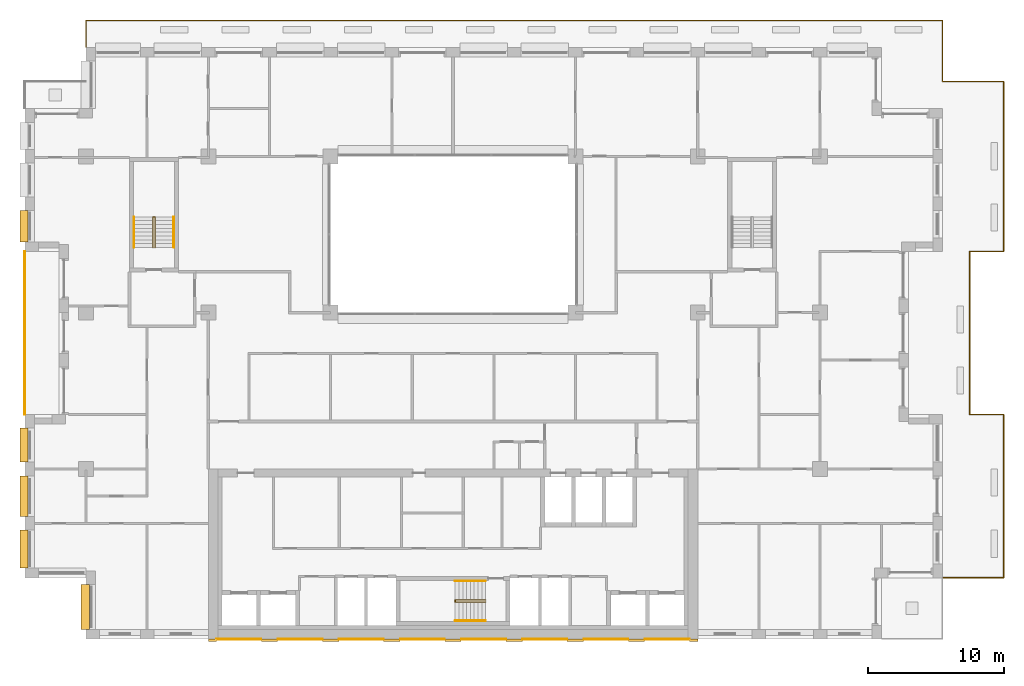
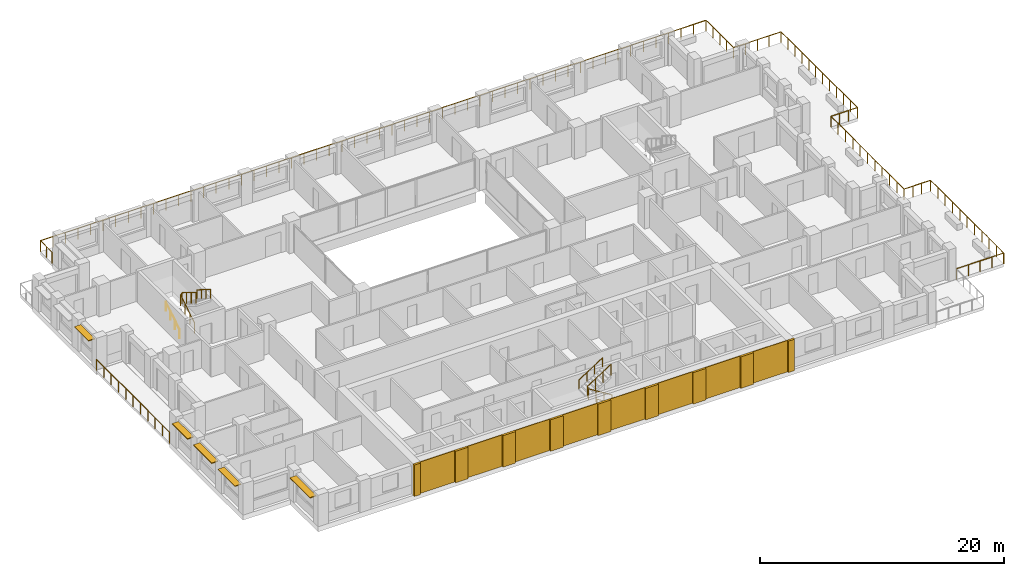
# One storey, part 16 of 17: 17 coverings, 8 railings, 5 shading devices.
"""IFC4 building model written with IfcOpenShell, lengths in metres."""

from ifc_helpers import new_model, si_unit, direction, frame, origin, origin_2d, place, context, subcontext, project, spatial, rectangle, circle, extrude, material, layer, layer_set, type_object, element, save


model = new_model("IFC4")

# Units and contexts
model_context = context("Model", 3, precision=1e-05, world=origin(), true_north=direction((0.0, 1.0)))
body_context = subcontext(model_context, "Body", "Model", "MODEL_VIEW")
ifc_project = project(units=[si_unit("LENGTHUNIT", "METRE"), si_unit("AREAUNIT", "SQUARE_METRE"), si_unit("VOLUMEUNIT", "CUBIC_METRE"), si_unit("PLANEANGLEUNIT", "RADIAN"), si_unit("MASSUNIT", "GRAM", prefix="KILO")], contexts=[model_context])

# Site, building, storey
site_placement = place(None, origin())
site = spatial("IfcSite", under=ifc_project, at=site_placement, CompositionType="ELEMENT")
building_placement = place(site_placement, origin())
building = spatial("IfcBuilding", under=site, at=building_placement, Name="Brigalow Station Residences", CompositionType="ELEMENT")
storey_placement = place(building_placement, frame((0.0, 0.0, 141.300048828125)))
storey = spatial("IfcBuildingStorey", under=building, at=storey_placement, Name="L40", CompositionType="ELEMENT", Elevation=141.300048828125)

# Railings
ifc_material_1 = material(Name="Stainless steel balustrade with laminated glass infill", Category="steel")
railing_type_1 = type_object("IfcRailingType", Name="BALCONY GUARD 1100", PredefinedType="GUARDRAIL", material=ifc_material_1)
railing_1_placement = place(storey_placement, frame((4.5, 28.5, -0.0400390625)))
element("IfcRailing", 1, at=railing_1_placement, inside=storey, type_object=railing_type_1, Name="L40/balcony-guard/1", PredefinedType="GUARDRAIL", context=body_context, shape_type="SweptSolid", body=[
    extrude(circle(Radius=0.02392578125, at=origin_2d()), frame((0.0, 0.0, 1.076171875), z_axis=(0.0, -1.0, 0.0), x_axis=(1.0, 0.0, 0.0)), (0.0, 0.0, 1.0), 12.0),
    extrude(circle(Radius=0.02099609375, at=origin_2d()), origin(), (0.0, 0.0, 1.0), 1.052001953125),
    extrude(circle(Radius=0.02099609375, at=origin_2d()), frame((0.0, -1.199951171875, 0.0)), (0.0, 0.0, 1.0), 1.052001953125),
    extrude(circle(Radius=0.02099609375, at=origin_2d()), frame((0.0, -2.39990234375, 0.0)), (0.0, 0.0, 1.0), 1.052001953125),
    extrude(circle(Radius=0.02099609375, at=origin_2d()), frame((0.0, -3.60009765625, 0.0)), (0.0, 0.0, 1.0), 1.052001953125),
    extrude(circle(Radius=0.02099609375, at=origin_2d()), frame((0.0, -4.800048828125, 0.0)), (0.0, 0.0, 1.0), 1.052001953125),
    extrude(circle(Radius=0.02099609375, at=origin_2d()), frame((0.0, -6.0, 0.0)), (0.0, 0.0, 1.0), 1.052001953125),
    extrude(circle(Radius=0.02099609375, at=origin_2d()), frame((0.0, -7.199951171875, 0.0)), (0.0, 0.0, 1.0), 1.052001953125),
    extrude(circle(Radius=0.02099609375, at=origin_2d()), frame((0.0, -8.39990234375, 0.0)), (0.0, 0.0, 1.0), 1.052001953125),
    extrude(circle(Radius=0.02099609375, at=origin_2d()), frame((0.0, -9.60009765625, 0.0)), (0.0, 0.0, 1.0), 1.052001953125),
    extrude(circle(Radius=0.02099609375, at=origin_2d()), frame((0.0, -10.800048828125, 0.0)), (0.0, 0.0, 1.0), 1.052001953125),
    extrude(circle(Radius=0.02099609375, at=origin_2d()), frame((0.0, -12.0, 0.0)), (0.0, 0.0, 1.0), 1.052001953125),
])
railing_2_placement = place(storey_placement, frame((72.050048828125, 4.5, -0.0400390625)))
element("IfcRailing", 2, at=railing_2_placement, inside=storey, type_object=railing_type_1, Name="L40/terrace-guard/2-1", PredefinedType="GUARDRAIL", context=body_context, shape_type="SweptSolid", body=[
    extrude(circle(Radius=0.02392578125, at=origin_2d()), frame((0.0, 0.0, 1.076171875), z_axis=(1.0, 0.0, 0.0), x_axis=(0.0, 1.0, 0.0)), (0.0, 0.0, 1.0), 4.449951171875),
    extrude(circle(Radius=0.02392578125, at=origin_2d()), frame((4.449951171875, 0.0, 1.076171875), z_axis=(0.0, 1.0, 0.0), x_axis=(-1.0, 0.0, 0.0)), (0.0, 0.0, 1.0), 12.0),
    extrude(circle(Radius=0.02392578125, at=origin_2d()), frame((4.449951171875, 12.0, 1.076171875), z_axis=(-1.0, 0.0, 0.0), x_axis=(0.0, -1.0, 0.0)), (0.0, 0.0, 1.0), 2.5),
    extrude(circle(Radius=0.02392578125, at=origin_2d()), frame((1.949951171875, 12.0, 1.076171875), z_axis=(0.0, 1.0, 0.0), x_axis=(-1.0, 0.0, 0.0)), (0.0, 0.0, 1.0), 12.0),
    extrude(circle(Radius=0.02392578125, at=origin_2d()), frame((1.949951171875, 24.0, 1.076171875), z_axis=(1.0, 0.0, 0.0), x_axis=(0.0, 1.0, 0.0)), (0.0, 0.0, 1.0), 2.5),
    extrude(circle(Radius=0.02392578125, at=origin_2d()), frame((4.449951171875, 24.0, 1.076171875), z_axis=(0.0, 1.0, 0.0), x_axis=(-1.0, 0.0, 0.0)), (0.0, 0.0, 1.0), 12.5),
    extrude(circle(Radius=0.02392578125, at=origin_2d()), frame((4.449951171875, 36.5, 1.076171875), z_axis=(-1.0, 0.0, 0.0), x_axis=(0.0, -1.0, 0.0)), (0.0, 0.0, 1.0), 4.5),
    extrude(circle(Radius=0.02392578125, at=origin_2d()), frame((-0.050048828125, 36.5, 1.076171875), z_axis=(0.0, 1.0, 0.0), x_axis=(-1.0, 0.0, 0.0)), (0.0, 0.0, 1.0), 4.5),
    extrude(circle(Radius=0.02392578125, at=origin_2d()), frame((-0.050048828125, 41.0, 1.076171875), z_axis=(-1.0, 0.0, 0.0), x_axis=(0.0, -1.0, 0.0)), (0.0, 0.0, 1.0), 63.0),
    extrude(circle(Radius=0.02392578125, at=origin_2d()), frame((-63.050048828125, 41.0, 1.076171875), z_axis=(0.0, -1.0, 0.0), x_axis=(1.0, 0.0, 0.0)), (0.0, 0.0, 1.0), 1.949951171875),
    extrude(circle(Radius=0.02099609375, at=origin_2d()), origin(), (0.0, 0.0, 1.0), 1.052001953125),
    extrude(circle(Radius=0.02099609375, at=origin_2d()), frame((1.112548828125, 0.0, 0.0)), (0.0, 0.0, 1.0), 1.052001953125),
    extrude(circle(Radius=0.02099609375, at=origin_2d()), frame((2.22509765625, 0.0, 0.0)), (0.0, 0.0, 1.0), 1.052001953125),
    extrude(circle(Radius=0.02099609375, at=origin_2d()), frame((3.33740234375, 0.0, 0.0)), (0.0, 0.0, 1.0), 1.052001953125),
    extrude(circle(Radius=0.02099609375, at=origin_2d()), frame((4.449951171875, 0.0, 0.0)), (0.0, 0.0, 1.0), 1.052001953125),
    extrude(circle(Radius=0.02099609375, at=origin_2d()), frame((4.449951171875, 1.199951171875, 0.0)), (0.0, 0.0, 1.0), 1.052001953125),
    extrude(circle(Radius=0.02099609375, at=origin_2d()), frame((4.449951171875, 2.39990234375, 0.0)), (0.0, 0.0, 1.0), 1.052001953125),
    extrude(circle(Radius=0.02099609375, at=origin_2d()), frame((4.449951171875, 3.60009765625, 0.0)), (0.0, 0.0, 1.0), 1.052001953125),
    extrude(circle(Radius=0.02099609375, at=origin_2d()), frame((4.449951171875, 4.800048828125, 0.0)), (0.0, 0.0, 1.0), 1.052001953125),
    extrude(circle(Radius=0.02099609375, at=origin_2d()), frame((4.449951171875, 6.0, 0.0)), (0.0, 0.0, 1.0), 1.052001953125),
    extrude(circle(Radius=0.02099609375, at=origin_2d()), frame((4.449951171875, 7.199951171875, 0.0)), (0.0, 0.0, 1.0), 1.052001953125),
    extrude(circle(Radius=0.02099609375, at=origin_2d()), frame((4.449951171875, 8.39990234375, 0.0)), (0.0, 0.0, 1.0), 1.052001953125),
    extrude(circle(Radius=0.02099609375, at=origin_2d()), frame((4.449951171875, 9.60009765625, 0.0)), (0.0, 0.0, 1.0), 1.052001953125),
    extrude(circle(Radius=0.02099609375, at=origin_2d()), frame((4.449951171875, 10.800048828125, 0.0)), (0.0, 0.0, 1.0), 1.052001953125),
    extrude(circle(Radius=0.02099609375, at=origin_2d()), frame((4.449951171875, 12.0, 0.0)), (0.0, 0.0, 1.0), 1.052001953125),
    extrude(circle(Radius=0.02099609375, at=origin_2d()), frame((3.61669921875, 12.0, 0.0)), (0.0, 0.0, 1.0), 1.052001953125),
    extrude(circle(Radius=0.02099609375, at=origin_2d()), frame((2.783203125, 12.0, 0.0)), (0.0, 0.0, 1.0), 1.052001953125),
    extrude(circle(Radius=0.02099609375, at=origin_2d()), frame((1.949951171875, 12.0, 0.0)), (0.0, 0.0, 1.0), 1.052001953125),
    extrude(circle(Radius=0.02099609375, at=origin_2d()), frame((1.949951171875, 13.199951171875, 0.0)), (0.0, 0.0, 1.0), 1.052001953125),
    extrude(circle(Radius=0.02099609375, at=origin_2d()), frame((1.949951171875, 14.39990234375, 0.0)), (0.0, 0.0, 1.0), 1.052001953125),
    extrude(circle(Radius=0.02099609375, at=origin_2d()), frame((1.949951171875, 15.60009765625, 0.0)), (0.0, 0.0, 1.0), 1.052001953125),
    extrude(circle(Radius=0.02099609375, at=origin_2d()), frame((1.949951171875, 16.800048828125, 0.0)), (0.0, 0.0, 1.0), 1.052001953125),
    extrude(circle(Radius=0.02099609375, at=origin_2d()), frame((1.949951171875, 18.0, 0.0)), (0.0, 0.0, 1.0), 1.052001953125),
    extrude(circle(Radius=0.02099609375, at=origin_2d()), frame((1.949951171875, 19.199951171875, 0.0)), (0.0, 0.0, 1.0), 1.052001953125),
    extrude(circle(Radius=0.02099609375, at=origin_2d()), frame((1.949951171875, 20.39990234375, 0.0)), (0.0, 0.0, 1.0), 1.052001953125),
    extrude(circle(Radius=0.02099609375, at=origin_2d()), frame((1.949951171875, 21.60009765625, 0.0)), (0.0, 0.0, 1.0), 1.052001953125),
    extrude(circle(Radius=0.02099609375, at=origin_2d()), frame((1.949951171875, 22.800048828125, 0.0)), (0.0, 0.0, 1.0), 1.052001953125),
    extrude(circle(Radius=0.02099609375, at=origin_2d()), frame((1.949951171875, 24.0, 0.0)), (0.0, 0.0, 1.0), 1.052001953125),
    extrude(circle(Radius=0.02099609375, at=origin_2d()), frame((2.783203125, 24.0, 0.0)), (0.0, 0.0, 1.0), 1.052001953125),
    extrude(circle(Radius=0.02099609375, at=origin_2d()), frame((3.61669921875, 24.0, 0.0)), (0.0, 0.0, 1.0), 1.052001953125),
    extrude(circle(Radius=0.02099609375, at=origin_2d()), frame((4.449951171875, 24.0, 0.0)), (0.0, 0.0, 1.0), 1.052001953125),
    extrude(circle(Radius=0.02099609375, at=origin_2d()), frame((4.449951171875, 25.136474609375, 0.0)), (0.0, 0.0, 1.0), 1.052001953125),
    extrude(circle(Radius=0.02099609375, at=origin_2d()), frame((4.449951171875, 26.272705078125, 0.0)), (0.0, 0.0, 1.0), 1.052001953125),
    extrude(circle(Radius=0.02099609375, at=origin_2d()), frame((4.449951171875, 27.4091796875, 0.0)), (0.0, 0.0, 1.0), 1.052001953125),
    extrude(circle(Radius=0.02099609375, at=origin_2d()), frame((4.449951171875, 28.54541015625, 0.0)), (0.0, 0.0, 1.0), 1.052001953125),
    extrude(circle(Radius=0.02099609375, at=origin_2d()), frame((4.449951171875, 29.681884765625, 0.0)), (0.0, 0.0, 1.0), 1.052001953125),
    extrude(circle(Radius=0.02099609375, at=origin_2d()), frame((4.449951171875, 30.818115234375, 0.0)), (0.0, 0.0, 1.0), 1.052001953125),
    extrude(circle(Radius=0.02099609375, at=origin_2d()), frame((4.449951171875, 31.95458984375, 0.0)), (0.0, 0.0, 1.0), 1.052001953125),
    extrude(circle(Radius=0.02099609375, at=origin_2d()), frame((4.449951171875, 33.0908203125, 0.0)), (0.0, 0.0, 1.0), 1.052001953125),
    extrude(circle(Radius=0.02099609375, at=origin_2d()), frame((4.449951171875, 34.227294921875, 0.0)), (0.0, 0.0, 1.0), 1.052001953125),
    extrude(circle(Radius=0.02099609375, at=origin_2d()), frame((4.449951171875, 35.363525390625, 0.0)), (0.0, 0.0, 1.0), 1.052001953125),
    extrude(circle(Radius=0.02099609375, at=origin_2d()), frame((4.449951171875, 36.5, 0.0)), (0.0, 0.0, 1.0), 1.052001953125),
    extrude(circle(Radius=0.02099609375, at=origin_2d()), frame((3.324951171875, 36.5, 0.0)), (0.0, 0.0, 1.0), 1.052001953125),
    extrude(circle(Radius=0.02099609375, at=origin_2d()), frame((2.199951171875, 36.5, 0.0)), (0.0, 0.0, 1.0), 1.052001953125),
    extrude(circle(Radius=0.02099609375, at=origin_2d()), frame((1.074951171875, 36.5, 0.0)), (0.0, 0.0, 1.0), 1.052001953125),
    extrude(circle(Radius=0.02099609375, at=origin_2d()), frame((-0.050048828125, 36.5, 0.0)), (0.0, 0.0, 1.0), 1.052001953125),
    extrude(circle(Radius=0.02099609375, at=origin_2d()), frame((-0.050048828125, 37.625, 0.0)), (0.0, 0.0, 1.0), 1.052001953125),
    extrude(circle(Radius=0.02099609375, at=origin_2d()), frame((-0.050048828125, 38.75, 0.0)), (0.0, 0.0, 1.0), 1.052001953125),
    extrude(circle(Radius=0.02099609375, at=origin_2d()), frame((-0.050048828125, 39.875, 0.0)), (0.0, 0.0, 1.0), 1.052001953125),
    extrude(circle(Radius=0.02099609375, at=origin_2d()), frame((-0.050048828125, 41.0, 0.0)), (0.0, 0.0, 1.0), 1.052001953125),
    extrude(circle(Radius=0.02099609375, at=origin_2d()), frame((-1.23876953125, 41.0, 0.0)), (0.0, 0.0, 1.0), 1.052001953125),
    extrude(circle(Radius=0.02099609375, at=origin_2d()), frame((-2.427490234375, 41.0, 0.0)), (0.0, 0.0, 1.0), 1.052001953125),
    extrude(circle(Radius=0.02099609375, at=origin_2d()), frame((-3.615966796875, 41.0, 0.0)), (0.0, 0.0, 1.0), 1.052001953125),
    extrude(circle(Radius=0.02099609375, at=origin_2d()), frame((-4.8046875, 41.0, 0.0)), (0.0, 0.0, 1.0), 1.052001953125),
    extrude(circle(Radius=0.02099609375, at=origin_2d()), frame((-5.993408203125, 41.0, 0.0)), (0.0, 0.0, 1.0), 1.052001953125),
    extrude(circle(Radius=0.02099609375, at=origin_2d()), frame((-7.18212890625, 41.0, 0.0)), (0.0, 0.0, 1.0), 1.052001953125),
    extrude(circle(Radius=0.02099609375, at=origin_2d()), frame((-8.370849609375, 41.0, 0.0)), (0.0, 0.0, 1.0), 1.052001953125),
    extrude(circle(Radius=0.02099609375, at=origin_2d()), frame((-9.5595703125, 41.0, 0.0)), (0.0, 0.0, 1.0), 1.052001953125),
    extrude(circle(Radius=0.02099609375, at=origin_2d()), frame((-10.748046875, 41.0, 0.0)), (0.0, 0.0, 1.0), 1.052001953125),
    extrude(circle(Radius=0.02099609375, at=origin_2d()), frame((-11.936767578125, 41.0, 0.0)), (0.0, 0.0, 1.0), 1.052001953125),
    extrude(circle(Radius=0.02099609375, at=origin_2d()), frame((-13.12548828125, 41.0, 0.0)), (0.0, 0.0, 1.0), 1.052001953125),
    extrude(circle(Radius=0.02099609375, at=origin_2d()), frame((-14.314208984375, 41.0, 0.0)), (0.0, 0.0, 1.0), 1.052001953125),
    extrude(circle(Radius=0.02099609375, at=origin_2d()), frame((-15.5029296875, 41.0, 0.0)), (0.0, 0.0, 1.0), 1.052001953125),
    extrude(circle(Radius=0.02099609375, at=origin_2d()), frame((-16.691650390625, 41.0, 0.0)), (0.0, 0.0, 1.0), 1.052001953125),
    extrude(circle(Radius=0.02099609375, at=origin_2d()), frame((-17.880126953125, 41.0, 0.0)), (0.0, 0.0, 1.0), 1.052001953125),
    extrude(circle(Radius=0.02099609375, at=origin_2d()), frame((-19.06884765625, 41.0, 0.0)), (0.0, 0.0, 1.0), 1.052001953125),
    extrude(circle(Radius=0.02099609375, at=origin_2d()), frame((-20.257568359375, 41.0, 0.0)), (0.0, 0.0, 1.0), 1.052001953125),
    extrude(circle(Radius=0.02099609375, at=origin_2d()), frame((-21.4462890625, 41.0, 0.0)), (0.0, 0.0, 1.0), 1.052001953125),
    extrude(circle(Radius=0.02099609375, at=origin_2d()), frame((-22.635009765625, 41.0, 0.0)), (0.0, 0.0, 1.0), 1.052001953125),
    extrude(circle(Radius=0.02099609375, at=origin_2d()), frame((-23.82373046875, 41.0, 0.0)), (0.0, 0.0, 1.0), 1.052001953125),
    extrude(circle(Radius=0.02099609375, at=origin_2d()), frame((-25.01220703125, 41.0, 0.0)), (0.0, 0.0, 1.0), 1.052001953125),
    extrude(circle(Radius=0.02099609375, at=origin_2d()), frame((-26.200927734375, 41.0, 0.0)), (0.0, 0.0, 1.0), 1.052001953125),
    extrude(circle(Radius=0.02099609375, at=origin_2d()), frame((-27.3896484375, 41.0, 0.0)), (0.0, 0.0, 1.0), 1.052001953125),
    extrude(circle(Radius=0.02099609375, at=origin_2d()), frame((-28.578369140625, 41.0, 0.0)), (0.0, 0.0, 1.0), 1.052001953125),
    extrude(circle(Radius=0.02099609375, at=origin_2d()), frame((-29.76708984375, 41.0, 0.0)), (0.0, 0.0, 1.0), 1.052001953125),
    extrude(circle(Radius=0.02099609375, at=origin_2d()), frame((-30.955810546875, 41.0, 0.0)), (0.0, 0.0, 1.0), 1.052001953125),
    extrude(circle(Radius=0.02099609375, at=origin_2d()), frame((-32.144287109375, 41.0, 0.0)), (0.0, 0.0, 1.0), 1.052001953125),
    extrude(circle(Radius=0.02099609375, at=origin_2d()), frame((-33.3330078125, 41.0, 0.0)), (0.0, 0.0, 1.0), 1.052001953125),
    extrude(circle(Radius=0.02099609375, at=origin_2d()), frame((-34.521728515625, 41.0, 0.0)), (0.0, 0.0, 1.0), 1.052001953125),
    extrude(circle(Radius=0.02099609375, at=origin_2d()), frame((-35.71044921875, 41.0, 0.0)), (0.0, 0.0, 1.0), 1.052001953125),
    extrude(circle(Radius=0.02099609375, at=origin_2d()), frame((-36.899169921875, 41.0, 0.0)), (0.0, 0.0, 1.0), 1.052001953125),
    extrude(circle(Radius=0.02099609375, at=origin_2d()), frame((-38.087890625, 41.0, 0.0)), (0.0, 0.0, 1.0), 1.052001953125),
    extrude(circle(Radius=0.02099609375, at=origin_2d()), frame((-39.2763671875, 41.0, 0.0)), (0.0, 0.0, 1.0), 1.052001953125),
    extrude(circle(Radius=0.02099609375, at=origin_2d()), frame((-40.465087890625, 41.0, 0.0)), (0.0, 0.0, 1.0), 1.052001953125),
    extrude(circle(Radius=0.02099609375, at=origin_2d()), frame((-41.65380859375, 41.0, 0.0)), (0.0, 0.0, 1.0), 1.052001953125),
    extrude(circle(Radius=0.02099609375, at=origin_2d()), frame((-42.842529296875, 41.0, 0.0)), (0.0, 0.0, 1.0), 1.052001953125),
    extrude(circle(Radius=0.02099609375, at=origin_2d()), frame((-44.03125, 41.0, 0.0)), (0.0, 0.0, 1.0), 1.052001953125),
    extrude(circle(Radius=0.02099609375, at=origin_2d()), frame((-45.219970703125, 41.0, 0.0)), (0.0, 0.0, 1.0), 1.052001953125),
    extrude(circle(Radius=0.02099609375, at=origin_2d()), frame((-46.408447265625, 41.0, 0.0)), (0.0, 0.0, 1.0), 1.052001953125),
    extrude(circle(Radius=0.02099609375, at=origin_2d()), frame((-47.59716796875, 41.0, 0.0)), (0.0, 0.0, 1.0), 1.052001953125),
    extrude(circle(Radius=0.02099609375, at=origin_2d()), frame((-48.785888671875, 41.0, 0.0)), (0.0, 0.0, 1.0), 1.052001953125),
    extrude(circle(Radius=0.02099609375, at=origin_2d()), frame((-49.974609375, 41.0, 0.0)), (0.0, 0.0, 1.0), 1.052001953125),
    extrude(circle(Radius=0.02099609375, at=origin_2d()), frame((-51.163330078125, 41.0, 0.0)), (0.0, 0.0, 1.0), 1.052001953125),
    extrude(circle(Radius=0.02099609375, at=origin_2d()), frame((-52.35205078125, 41.0, 0.0)), (0.0, 0.0, 1.0), 1.052001953125),
    extrude(circle(Radius=0.02099609375, at=origin_2d()), frame((-53.54052734375, 41.0, 0.0)), (0.0, 0.0, 1.0), 1.052001953125),
    extrude(circle(Radius=0.02099609375, at=origin_2d()), frame((-54.729248046875, 41.0, 0.0)), (0.0, 0.0, 1.0), 1.052001953125),
    extrude(circle(Radius=0.02099609375, at=origin_2d()), frame((-55.91796875, 41.0, 0.0)), (0.0, 0.0, 1.0), 1.052001953125),
    extrude(circle(Radius=0.02099609375, at=origin_2d()), frame((-57.106689453125, 41.0, 0.0)), (0.0, 0.0, 1.0), 1.052001953125),
    extrude(circle(Radius=0.02099609375, at=origin_2d()), frame((-58.29541015625, 41.0, 0.0)), (0.0, 0.0, 1.0), 1.052001953125),
    extrude(circle(Radius=0.02099609375, at=origin_2d()), frame((-59.484130859375, 41.0, 0.0)), (0.0, 0.0, 1.0), 1.052001953125),
    extrude(circle(Radius=0.02099609375, at=origin_2d()), frame((-60.672607421875, 41.0, 0.0)), (0.0, 0.0, 1.0), 1.052001953125),
    extrude(circle(Radius=0.02099609375, at=origin_2d()), frame((-61.861328125, 41.0, 0.0)), (0.0, 0.0, 1.0), 1.052001953125),
    extrude(circle(Radius=0.02099609375, at=origin_2d()), frame((-63.050048828125, 41.0, 0.0)), (0.0, 0.0, 1.0), 1.052001953125),
    extrude(circle(Radius=0.02099609375, at=origin_2d()), frame((-63.050048828125, 40.02490234375, 0.0)), (0.0, 0.0, 1.0), 1.052001953125),
    extrude(circle(Radius=0.02099609375, at=origin_2d()), frame((-63.050048828125, 39.050048828125, 0.0)), (0.0, 0.0, 1.0), 1.052001953125),
])

# Coverings
ifc_material_2 = material(Name="Clay brick masonry", Category="masonry")
ifc_layer_1 = layer(ifc_material_2, 0.06005859375)
ifc_layer_set_1 = layer_set([ifc_layer_1], Name="BRICK PANEL FACING 60")
covering_type_1 = type_object("IfcCoveringType", Name="BRICK PANEL FACING 60", PredefinedType="CLADDING", material=ifc_layer_set_1)
for number, where, z_axis, x_axis, name in (
    (3, (20.25, -0.030029296875, 0.0), (0.0, 0.0, 1.0), (1.0, 0.0, 0.0), "L40/rear-facing/panel-1"),
    (4, (24.75, -0.030029296875, 0.0), (0.0, 0.0, 1.0), (1.0, 0.0, 0.0), "L40/rear-facing/panel-2"),
    (5, (29.25, -0.030029296875, 0.0), (0.0, 0.0, 1.0), (1.0, 0.0, 0.0), "L40/rear-facing/panel-3"),
    (6, (33.75, -0.030029296875, 0.0), (0.0, 0.0, 1.0), (1.0, 0.0, 0.0), "L40/rear-facing/panel-4"),
    (7, (38.25, -0.030029296875, 0.0), (0.0, 0.0, 1.0), (1.0, 0.0, 0.0), "L40/rear-facing/panel-5"),
    (8, (42.75, -0.030029296875, 0.0), (0.0, 0.0, 1.0), (1.0, 0.0, 0.0), "L40/rear-facing/panel-6"),
    (9, (47.25, -0.030029296875, 0.0), (0.0, 0.0, 1.0), (1.0, 0.0, 0.0), "L40/rear-facing/panel-7"),
    (10, (51.75, -0.030029296875, 0.0), (0.0, 0.0, 1.0), (1.0, 0.0, 0.0), "L40/rear-facing/panel-8"),
):
    element("IfcCovering", number, at=place(storey_placement, frame(where, z_axis=z_axis, x_axis=x_axis)), inside=storey, type_object=covering_type_1, Name=name, PredefinedType="CLADDING", context=body_context, shape_type="SweptSolid", body=[
        extrude(rectangle(XDim=3.300048828125, YDim=0.06005859375, at=origin_2d()), origin(), (0.0, 0.0, 1.0), 3.14990234375),
    ])
ifc_material_3 = material(Name="Clay brick masonry", Category="masonry")
ifc_layer_2 = layer(ifc_material_3, 0.199951171875)
ifc_layer_set_2 = layer_set([ifc_layer_2], Name="BRICK PIER FACING 200")
covering_type_2 = type_object("IfcCoveringType", Name="BRICK PIER FACING 200", PredefinedType="CLADDING", material=ifc_layer_set_2)
covering_1_placement = place(storey_placement, frame((18.300048828125, -0.10009765625, 0.0), z_axis=(0.0, 0.0, 1.0), x_axis=(1.0, 0.0, 0.0)))
element("IfcCovering", 11, at=covering_1_placement, inside=storey, type_object=covering_type_2, Name="L40/rear-facing/pier-1", PredefinedType="CLADDING", context=body_context, shape_type="SweptSolid", body=[
    extrude(rectangle(XDim=0.60009765625, YDim=0.199951171875, at=origin_2d()), origin(), (0.0, 0.0, 1.0), 3.14990234375),
])
for number, where, z_axis, x_axis, name in (
    (12, (22.5, -0.10009765625, 0.0), (0.0, 0.0, 1.0), (1.0, 0.0, 0.0), "L40/rear-facing/pier-2"),
    (13, (27.0, -0.10009765625, 0.0), (0.0, 0.0, 1.0), (1.0, 0.0, 0.0), "L40/rear-facing/pier-3"),
    (14, (31.5, -0.10009765625, 0.0), (0.0, 0.0, 1.0), (1.0, 0.0, 0.0), "L40/rear-facing/pier-4"),
    (15, (36.0, -0.10009765625, 0.0), (0.0, 0.0, 1.0), (1.0, 0.0, 0.0), "L40/rear-facing/pier-5"),
    (16, (40.5, -0.10009765625, 0.0), (0.0, 0.0, 1.0), (1.0, 0.0, 0.0), "L40/rear-facing/pier-6"),
    (17, (45.0, -0.10009765625, 0.0), (0.0, 0.0, 1.0), (1.0, 0.0, 0.0), "L40/rear-facing/pier-7"),
    (18, (49.5, -0.10009765625, 0.0), (0.0, 0.0, 1.0), (1.0, 0.0, 0.0), "L40/rear-facing/pier-8"),
):
    element("IfcCovering", number, at=place(storey_placement, frame(where, z_axis=z_axis, x_axis=x_axis)), inside=storey, type_object=covering_type_2, Name=name, PredefinedType="CLADDING", context=body_context, shape_type="SweptSolid", body=[
        extrude(rectangle(XDim=1.199951171875, YDim=0.199951171875, at=origin_2d()), origin(), (0.0, 0.0, 1.0), 3.14990234375),
    ])
covering_2_placement = place(storey_placement, frame((53.699951171875, -0.10009765625, 0.0), z_axis=(0.0, 0.0, 1.0), x_axis=(1.0, 0.0, 0.0)))
element("IfcCovering", 19, at=covering_2_placement, inside=storey, type_object=covering_type_2, Name="L40/rear-facing/pier-9", PredefinedType="CLADDING", context=body_context, shape_type="SweptSolid", body=[
    extrude(rectangle(XDim=0.60009765625, YDim=0.199951171875, at=origin_2d()), origin(), (0.0, 0.0, 1.0), 3.14990234375),
])

# Railings
ifc_material_4 = material(Name="Stainless steel balustrade", Category="steel")
railing_type_2 = type_object("IfcRailingType", Name="STAIR GUARD 1100", PredefinedType="GUARDRAIL", material=ifc_material_4)
railing_3_placement = place(storey_placement, frame((38.39990234375, 2.72998046875, 0.175048828125)))
element("IfcRailing", 20, at=railing_3_placement, inside=storey, type_object=railing_type_2, Name="GUARD GR-2", PredefinedType="GUARDRAIL", context=body_context, shape_type="SweptSolid", body=[
    extrude(circle(Radius=0.02392578125, at=origin_2d()), frame((0.0, 0.0, 1.076171875), z_axis=(-0.848013881152, 0.0, 0.529974015752), x_axis=(0.0, -1.0, 0.0)), (0.0, 0.0, 1.0), 2.641357421875),
    extrude(circle(Radius=0.02392578125, at=origin_2d()), frame((-2.239990234375, 0.0, 2.47607421875), z_axis=(0.0, 0.624960567888, 0.780656319122), x_axis=(-1.0, 0.0, 0.0)), (0.0, 0.0, 1.0), 0.22412109375),
    extrude(circle(Radius=0.02392578125, at=origin_2d()), frame((-2.239990234375, 0.14013671875, 2.65087890625), z_axis=(0.848013881152, 0.0, 0.529974015752), x_axis=(0.0, 1.0, 0.0)), (0.0, 0.0, 1.0), 2.641357421875),
    extrude(circle(Radius=0.02099609375, at=origin_2d()), origin(), (0.0, 0.0, 1.0), 1.052001953125),
    extrude(circle(Radius=0.02099609375, at=origin_2d()), frame((-0.74658203125, 0.0, 0.466552734375)), (0.0, 0.0, 1.0), 1.052001953125),
    extrude(circle(Radius=0.02099609375, at=origin_2d()), frame((-1.493408203125, 0.0, 0.933349609375)), (0.0, 0.0, 1.0), 1.052001953125),
    extrude(circle(Radius=0.02099609375, at=origin_2d()), frame((-2.239990234375, 0.0, 1.39990234375)), (0.0, 0.0, 1.0), 1.052001953125),
    extrude(circle(Radius=0.02099609375, at=origin_2d()), frame((-2.239990234375, 0.14013671875, 1.574951171875)), (0.0, 0.0, 1.0), 1.052001953125),
    extrude(circle(Radius=0.02099609375, at=origin_2d()), frame((-1.493408203125, 0.14013671875, 2.04150390625)), (0.0, 0.0, 1.0), 1.052001953125),
    extrude(circle(Radius=0.02099609375, at=origin_2d()), frame((-0.74658203125, 0.14013671875, 2.50830078125)), (0.0, 0.0, 1.0), 1.052001953125),
    extrude(circle(Radius=0.02099609375, at=origin_2d()), frame((0.0, 0.14013671875, 2.974853515625)), (0.0, 0.0, 1.0), 1.052001953125),
])
railing_4_placement = place(storey_placement, frame((13.929931640625, 28.800048828125, 0.175048828125)))
element("IfcRailing", 21, at=railing_4_placement, inside=storey, type_object=railing_type_2, Name="GUARD GR-1", PredefinedType="GUARDRAIL", context=body_context, shape_type="SweptSolid", body=[
    extrude(circle(Radius=0.02392578125, at=origin_2d()), frame((0.0, 0.0, 1.076171875), z_axis=(0.0, 0.848013881152, 0.529974015752), x_axis=(-1.0, 0.0, 0.0)), (0.0, 0.0, 1.0), 2.641357421875),
    extrude(circle(Radius=0.02392578125, at=origin_2d()), frame((0.0, 2.239990234375, 2.47607421875), z_axis=(0.624960567888, 0.0, 0.780656319122), x_axis=(0.0, 1.0, 0.0)), (0.0, 0.0, 1.0), 0.22412109375),
    extrude(circle(Radius=0.02392578125, at=origin_2d()), frame((0.14013671875, 2.239990234375, 2.65087890625), z_axis=(0.0, -0.848013881152, 0.529974015752), x_axis=(1.0, 0.0, 0.0)), (0.0, 0.0, 1.0), 2.641357421875),
    extrude(circle(Radius=0.02099609375, at=origin_2d()), origin(), (0.0, 0.0, 1.0), 1.052001953125),
    extrude(circle(Radius=0.02099609375, at=origin_2d()), frame((0.0, 0.74658203125, 0.466552734375)), (0.0, 0.0, 1.0), 1.052001953125),
    extrude(circle(Radius=0.02099609375, at=origin_2d()), frame((0.0, 1.493408203125, 0.933349609375)), (0.0, 0.0, 1.0), 1.052001953125),
    extrude(circle(Radius=0.02099609375, at=origin_2d()), frame((0.0, 2.239990234375, 1.39990234375)), (0.0, 0.0, 1.0), 1.052001953125),
    extrude(circle(Radius=0.02099609375, at=origin_2d()), frame((0.14013671875, 2.239990234375, 1.574951171875)), (0.0, 0.0, 1.0), 1.052001953125),
    extrude(circle(Radius=0.02099609375, at=origin_2d()), frame((0.14013671875, 1.493408203125, 2.04150390625)), (0.0, 0.0, 1.0), 1.052001953125),
    extrude(circle(Radius=0.02099609375, at=origin_2d()), frame((0.14013671875, 0.74658203125, 2.50830078125)), (0.0, 0.0, 1.0), 1.052001953125),
    extrude(circle(Radius=0.02099609375, at=origin_2d()), frame((0.14013671875, 0.0, 2.974853515625)), (0.0, 0.0, 1.0), 1.052001953125),
])
ifc_material_5 = material(Name="Stainless steel handrail", Category="steel")
railing_type_3 = type_object("IfcRailingType", Name="STAIR HANDRAIL 900", PredefinedType="HANDRAIL", material=ifc_material_5)
railing_5_placement = place(storey_placement, frame((38.39990234375, 1.340087890625, 0.175048828125)))
element("IfcRailing", 22, at=railing_5_placement, inside=storey, type_object=railing_type_3, Name="HANDRAIL HR-21", PredefinedType="HANDRAIL", context=body_context, shape_type="SweptSolid", body=[
    extrude(circle(Radius=0.02392578125, at=origin_2d()), frame((0.0, 0.0, 0.8759765625), z_axis=(-0.848013881152, 0.0, 0.529974015752), x_axis=(0.0, -1.0, 0.0)), (0.0, 0.0, 1.0), 2.641357421875),
    extrude(circle(Radius=0.02099609375, at=origin_2d()), origin(), (0.0, 0.0, 1.0), 0.851806640625),
    extrude(circle(Radius=0.02099609375, at=origin_2d()), frame((-0.74658203125, 0.0, 0.466552734375)), (0.0, 0.0, 1.0), 0.851806640625),
    extrude(circle(Radius=0.02099609375, at=origin_2d()), frame((-1.493408203125, 0.0, 0.933349609375)), (0.0, 0.0, 1.0), 0.851806640625),
    extrude(circle(Radius=0.02099609375, at=origin_2d()), frame((-2.239990234375, 0.0, 1.39990234375)), (0.0, 0.0, 1.0), 0.851806640625),
])
railing_6_placement = place(storey_placement, frame((36.159912109375, 4.260009765625, 1.75)))
element("IfcRailing", 23, at=railing_6_placement, inside=storey, type_object=railing_type_3, Name="HANDRAIL HR-22", PredefinedType="HANDRAIL", context=body_context, shape_type="SweptSolid", body=[
    extrude(circle(Radius=0.02392578125, at=origin_2d()), frame((0.0, 0.0, 0.8759765625), z_axis=(0.848013881152, 0.0, 0.529974015752), x_axis=(0.0, 1.0, 0.0)), (0.0, 0.0, 1.0), 2.641357421875),
    extrude(circle(Radius=0.02099609375, at=origin_2d()), origin(), (0.0, 0.0, 1.0), 0.851806640625),
    extrude(circle(Radius=0.02099609375, at=origin_2d()), frame((0.74658203125, 0.0, 0.466552734375)), (0.0, 0.0, 1.0), 0.851806640625),
    extrude(circle(Radius=0.02099609375, at=origin_2d()), frame((1.493408203125, 0.0, 0.933349609375)), (0.0, 0.0, 1.0), 0.851806640625),
    extrude(circle(Radius=0.02099609375, at=origin_2d()), frame((2.239990234375, 0.0, 1.39990234375)), (0.0, 0.0, 1.0), 0.851806640625),
])
railing_7_placement = place(storey_placement, frame((12.5400390625, 28.800048828125, 0.175048828125)))
element("IfcRailing", 24, at=railing_7_placement, inside=storey, type_object=railing_type_3, Name="HANDRAIL HR-11", PredefinedType="HANDRAIL", context=body_context, shape_type="SweptSolid", body=[
    extrude(circle(Radius=0.02392578125, at=origin_2d()), frame((0.0, 0.0, 0.8759765625), z_axis=(0.0, 0.848013881152, 0.529974015752), x_axis=(-1.0, 0.0, 0.0)), (0.0, 0.0, 1.0), 2.641357421875),
    extrude(circle(Radius=0.02099609375, at=origin_2d()), origin(), (0.0, 0.0, 1.0), 0.851806640625),
    extrude(circle(Radius=0.02099609375, at=origin_2d()), frame((0.0, 0.74658203125, 0.466552734375)), (0.0, 0.0, 1.0), 0.851806640625),
    extrude(circle(Radius=0.02099609375, at=origin_2d()), frame((0.0, 1.493408203125, 0.933349609375)), (0.0, 0.0, 1.0), 0.851806640625),
    extrude(circle(Radius=0.02099609375, at=origin_2d()), frame((0.0, 2.239990234375, 1.39990234375)), (0.0, 0.0, 1.0), 0.851806640625),
])
railing_8_placement = place(storey_placement, frame((15.4599609375, 31.0400390625, 1.75)))
element("IfcRailing", 25, at=railing_8_placement, inside=storey, type_object=railing_type_3, Name="HANDRAIL HR-12", PredefinedType="HANDRAIL", context=body_context, shape_type="SweptSolid", body=[
    extrude(circle(Radius=0.02392578125, at=origin_2d()), frame((0.0, 0.0, 0.8759765625), z_axis=(0.0, -0.848013881152, 0.529974015752), x_axis=(1.0, 0.0, 0.0)), (0.0, 0.0, 1.0), 2.641357421875),
    extrude(circle(Radius=0.02099609375, at=origin_2d()), origin(), (0.0, 0.0, 1.0), 0.851806640625),
    extrude(circle(Radius=0.02099609375, at=origin_2d()), frame((0.0, -0.74658203125, 0.466552734375)), (0.0, 0.0, 1.0), 0.851806640625),
    extrude(circle(Radius=0.02099609375, at=origin_2d()), frame((0.0, -1.493408203125, 0.933349609375)), (0.0, 0.0, 1.0), 0.851806640625),
    extrude(circle(Radius=0.02099609375, at=origin_2d()), frame((0.0, -2.239990234375, 1.39990234375)), (0.0, 0.0, 1.0), 0.851806640625),
])

# Shading devices
ifc_material_6 = material(Name="Powder-coated extruded aluminium blade", Category="aluminium")
ifc_layer_3 = layer(ifc_material_6, 0.080078125)
ifc_layer_set_3 = layer_set([ifc_layer_3], Name="SUNSHADE BLADE 600x80")
shading_device_type = type_object("IfcShadingDeviceType", Name="SUNSHADE BLADE 600x80", PredefinedType="JALOUSIE", material=ifc_layer_set_3)
shading_device_1_placement = place(storey_placement, frame((4.449951171875, 30.35009765625, 2.5498046875), z_axis=(0.0, 0.0, 1.0), x_axis=(0.0, -1.0, 0.0)))
element("IfcShadingDevice", 26, at=shading_device_1_placement, inside=storey, type_object=shading_device_type, Name="L40/blade/W-L40-39", PredefinedType="JALOUSIE", context=body_context, shape_type="SweptSolid", body=[
    extrude(rectangle(XDim=2.300048828125, YDim=0.60009765625, at=origin_2d()), origin(), (0.0, 0.0, 1.0), 0.080078125),
])
shading_device_2_placement = place(storey_placement, frame((4.449951171875, 14.25, 2.5498046875), z_axis=(0.0, 0.0, 1.0), x_axis=(0.0, -1.0, 0.0)))
element("IfcShadingDevice", 27, at=shading_device_2_placement, inside=storey, type_object=shading_device_type, Name="L40/blade/W-L40-45", PredefinedType="JALOUSIE", context=body_context, shape_type="SweptSolid", body=[
    extrude(rectangle(XDim=2.5, YDim=0.60009765625, at=origin_2d()), origin(), (0.0, 0.0, 1.0), 0.080078125),
])
shading_device_3_placement = place(storey_placement, frame((4.449951171875, 10.5, 2.5498046875), z_axis=(0.0, 0.0, 1.0), x_axis=(0.0, -1.0, 0.0)))
element("IfcShadingDevice", 28, at=shading_device_3_placement, inside=storey, type_object=shading_device_type, Name="L40/blade/W-L40-46", PredefinedType="JALOUSIE", context=body_context, shape_type="SweptSolid", body=[
    extrude(rectangle(XDim=3.0, YDim=0.60009765625, at=origin_2d()), origin(), (0.0, 0.0, 1.0), 0.080078125),
])
shading_device_4_placement = place(storey_placement, frame((4.449951171875, 6.60009765625, 2.5498046875), z_axis=(0.0, 0.0, 1.0), x_axis=(0.0, -1.0, 0.0)))
element("IfcShadingDevice", 29, at=shading_device_4_placement, inside=storey, type_object=shading_device_type, Name="L40/blade/W-L40-47", PredefinedType="JALOUSIE", context=body_context, shape_type="SweptSolid", body=[
    extrude(rectangle(XDim=2.800048828125, YDim=0.60009765625, at=origin_2d()), origin(), (0.0, 0.0, 1.0), 0.080078125),
])
shading_device_5_placement = place(storey_placement, frame((8.949951171875, 2.35009765625, 2.5498046875), z_axis=(0.0, 0.0, 1.0), x_axis=(0.0, -1.0, 0.0)))
element("IfcShadingDevice", 30, at=shading_device_5_placement, inside=storey, type_object=shading_device_type, Name="L40/blade/W-L40-49", PredefinedType="JALOUSIE", context=body_context, shape_type="SweptSolid", body=[
    extrude(rectangle(XDim=3.300048828125, YDim=0.60009765625, at=origin_2d()), origin(), (0.0, 0.0, 1.0), 0.080078125),
])

save(model, "model.ifc")
